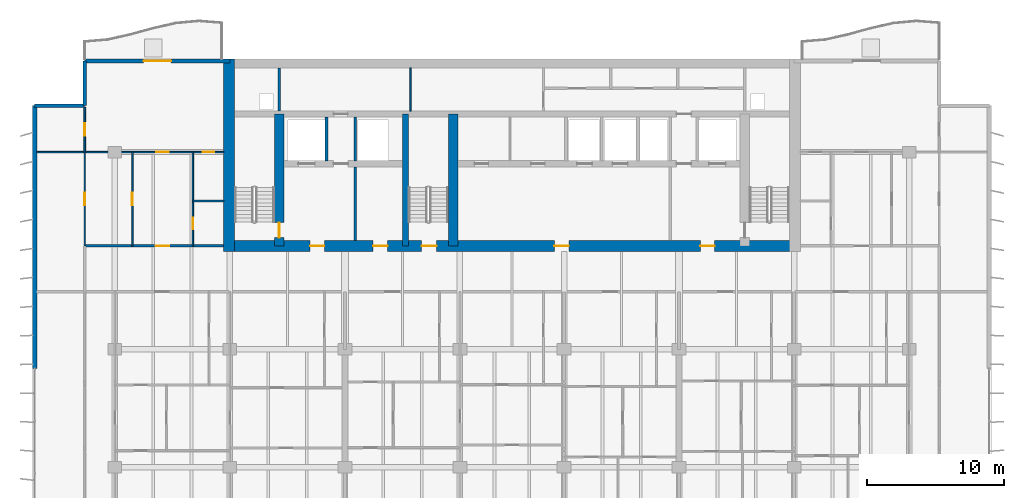
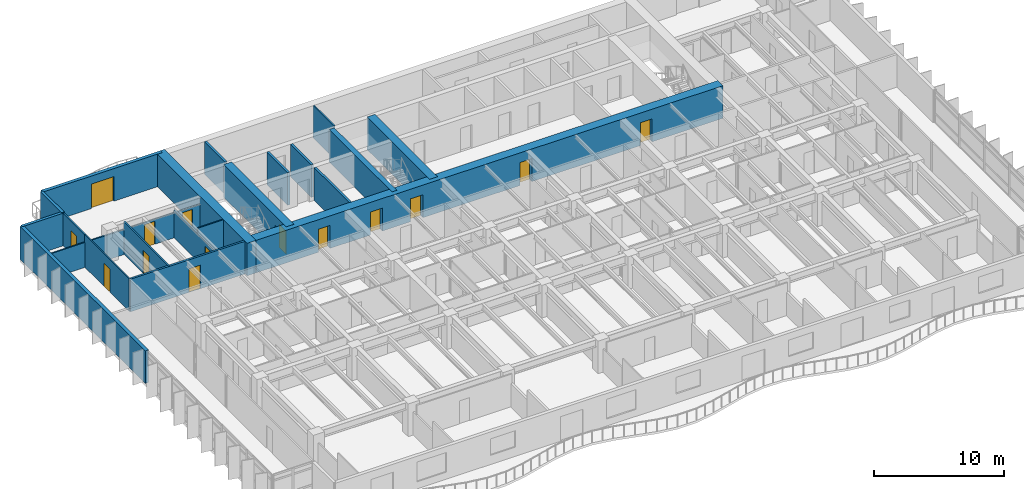
# One storey, part 12 of 20: 21 walls, 14 doors, 14 openings.
"""IFC4 building model written with IfcOpenShell, lengths in metres."""

import ifcopenshell
import ifcopenshell.guid

model = None  # the IFC model being written
_history = None  # IfcOwnerHistory: only IFC2X3 demands one
_inside = {}  # id of a spatial element -> (the spatial element, [elements in it])
_under = {}  # id of a project, library or spatial element -> (it, [spatial elements below it])
_declared = {}  # id of a project -> (the project, [libraries it declares])
_typed = {}  # id of a type object -> (the type object, [elements of that type])
_made_of = {}  # id of a material, layer set ... -> (it, [elements and type objects made of it])


def new_model(schema):
    """Start an empty IFC model of exactly this schema.

    Asked for "IFC4X3", IfcOpenShell would pick the latest addendum, in which some entities
    have other attributes; the version numbers below select the first issue.
    IFC2X3 requires an IfcOwnerHistory on every rooted entity: one is made here for all.
    """
    global model, _history
    if schema == "IFC4X3":
        model = ifcopenshell.file(schema_version=(4, 3, 0, 0))
    else:
        model = ifcopenshell.file(schema=schema)
    _inside.clear()
    _under.clear()
    _declared.clear()
    _typed.clear()
    _made_of.clear()
    _history = None
    if model.schema == "IFC2X3":
        org = make("IfcOrganization", Name="unknown")
        user = make(
            "IfcPersonAndOrganization",
            ThePerson=make("IfcPerson", FamilyName="unknown"),
            TheOrganization=org,
        )
        app = make(
            "IfcApplication",
            ApplicationDeveloper=org,
            Version="unknown",
            ApplicationFullName="unknown",
            ApplicationIdentifier="unknown",
        )
        _history = make(
            "IfcOwnerHistory",
            OwningUser=user,
            OwningApplication=app,
            ChangeAction="ADDED",
            CreationDate=0,
        )
    return model


def make(cls, **values):
    """One entity of the class cls with the attributes given. An attribute that is None is left unset."""
    return model.create_entity(
        cls, **{name: value for name, value in values.items() if value is not None}
    )


def rooted(cls, **values):
    """An entity with a GlobalId (a new one), such as an element, a storey or a relation."""
    return make(cls, GlobalId=ifcopenshell.guid.new(), OwnerHistory=_history, **values)


def si_unit(unit_type, name, prefix=None):
    """IfcSIUnit, for example si_unit("LENGTHUNIT", "METRE", prefix="MILLI")."""
    return make("IfcSIUnit", UnitType=unit_type, Prefix=prefix, Name=name)


def assignment(units):
    """IfcUnitAssignment: the units of a project."""
    return None if units is None else make("IfcUnitAssignment", Units=units)


def point(xyz):
    """IfcCartesianPoint."""
    return None if xyz is None else make("IfcCartesianPoint", Coordinates=xyz)


def direction(xyz):
    """IfcDirection."""
    return None if xyz is None else make("IfcDirection", DirectionRatios=xyz)


def frame(location, z_axis=None, x_axis=None):
    """IfcAxis2Placement3D, a coordinate frame: its origin and axes. An axis left out is left unset."""
    return make(
        "IfcAxis2Placement3D",
        Location=point(location),
        Axis=direction(z_axis),
        RefDirection=direction(x_axis),
    )


def frame_2d(location, x_axis=None):
    """IfcAxis2Placement2D, a coordinate frame in the plane: its origin and x axis."""
    return make(
        "IfcAxis2Placement2D", Location=point(location), RefDirection=direction(x_axis)
    )


def origin():
    """The frame at (0, 0, 0) with its axes left unset."""
    return frame((0.0, 0.0, 0.0))


def place(relative_to, where):
    """IfcLocalPlacement: puts the frame where relative to a parent placement (None: the world)."""
    return make(
        "IfcLocalPlacement", PlacementRelTo=relative_to, RelativePlacement=where
    )


def context(
    kind, dimensions, precision=None, world=None, true_north=None, identifier=None
):
    """IfcGeometricRepresentationContext, for example the 3D "Model" context."""
    return make(
        "IfcGeometricRepresentationContext",
        ContextIdentifier=identifier,
        ContextType=kind,
        CoordinateSpaceDimension=dimensions,
        Precision=precision,
        WorldCoordinateSystem=world,
        TrueNorth=true_north,
    )


def subcontext(parent, identifier, kind, view, scale=None):
    """IfcGeometricRepresentationSubContext, for example "Body" below "Model"."""
    return make(
        "IfcGeometricRepresentationSubContext",
        ContextIdentifier=identifier,
        ContextType=kind,
        ParentContext=parent,
        TargetScale=scale,
        TargetView=view,
    )


def project(units=None, contexts=None):
    """IfcProject with its units and contexts."""
    return rooted(
        "IfcProject",
        Name="project",
        RepresentationContexts=contexts,
        UnitsInContext=assignment(units),
    )


def spatial(cls, under=None, at=None, **own):
    """A site, building, storey or space (cls), placed at a placement, below another one or the project."""
    s = rooted(cls, ObjectPlacement=at, **own)
    if under is not None:
        _under.setdefault(under.id(), (under, []))[1].append(s)
    return s


def profile(cls, at=None, kind="AREA", **sizes):
    """A parametric profile (cls). Its sizes go by their IFC names, for example OverallWidth=200.0."""
    return make(cls, ProfileType=kind, Position=at, **sizes)


def rectangle(**sizes):
    """IfcRectangleProfileDef."""
    return profile("IfcRectangleProfileDef", **sizes)


def extrude(swept, where, along, depth):
    """IfcExtrudedAreaSolid: the profile swept, set in the frame where, extruded along a direction by depth."""
    return make(
        "IfcExtrudedAreaSolid",
        SweptArea=swept,
        Position=where,
        ExtrudedDirection=direction(along),
        Depth=depth,
    )


def shape(context_of_items, identifier, shape_type, items):
    """IfcShapeRepresentation: the items that make up one representation, for example the "Body"."""
    return make(
        "IfcShapeRepresentation",
        ContextOfItems=context_of_items,
        RepresentationIdentifier=identifier,
        RepresentationType=shape_type,
        Items=items,
    )


def material(Name=None, Category=None):
    """IfcMaterial."""
    return make("IfcMaterial", Name=Name, Category=Category)


def layer(
    of_material, thickness, ventilated=None, Name=None, Category=None, Priority=None
):
    """IfcMaterialLayer: one layer of a wall or slab, of a material (None: an air gap)."""
    return make(
        "IfcMaterialLayer",
        Material=of_material,
        LayerThickness=thickness,
        IsVentilated=ventilated,
        Name=Name,
        Category=Category,
        Priority=Priority,
    )


def layer_set(layers, Name=None):
    """IfcMaterialLayerSet."""
    return make("IfcMaterialLayerSet", MaterialLayers=layers, LayerSetName=Name)


def made_of(thing, what):
    """Note that an element or type object is made of a material, layer set ...; save() writes the relation."""
    if what is not None:
        _made_of.setdefault(what.id(), (what, []))[1].append(thing)
    return thing


def type_object(cls, material=None, **own):
    """A type object (cls), such as IfcWallType, which elements share."""
    return made_of(rooted(cls, **own), material)


def element(
    cls,
    number,
    at=None,
    inside=None,
    cuts=None,
    type_object=None,
    material=None,
    context=None,
    identifier="Body",
    shape_type=None,
    held_by="IfcProductDefinitionShape",
    body=None,
    shapes=None,
    **own,
):
    """One element of the class cls, such as IfcWall. Its Tag is "e" and its number.

    at: its placement. inside: the storey or other place that contains it. cuts: it is an
    opening in that element (IfcRelVoidsElement). A single representation is given by context,
    identifier, shape_type and body (its items); several are given by shapes. held_by: the class
    of the entity that holds the representations. save() writes the other relations.
    """
    e = rooted(cls, Tag="e%d" % number, ObjectPlacement=at, **own)
    if body is not None:
        shapes = [shape(context, identifier, shape_type, body)]
    if shapes is not None:
        e.Representation = make(held_by, Representations=shapes)
    if inside is not None:
        _inside.setdefault(inside.id(), (inside, []))[1].append(e)
    if cuts is not None:
        rooted(
            "IfcRelVoidsElement", RelatingBuildingElement=cuts, RelatedOpeningElement=e
        )
    if type_object is not None:
        _typed.setdefault(type_object.id(), (type_object, []))[1].append(e)
    return made_of(e, material)


def fill(opening, filler):
    """IfcRelFillsElement: the door or window that sits in an opening."""
    return rooted(
        "IfcRelFillsElement",
        RelatingOpeningElement=opening,
        RelatedBuildingElement=filler,
    )


def aggregate(whole, parts):
    """IfcRelAggregates: a whole, such as a stair, and the parts it consists of."""
    return rooted("IfcRelAggregates", RelatingObject=whole, RelatedObjects=parts)


def save(model, path):
    """Write the relations noted so far, then the file.

    IfcRelAggregates (storeys below a building ...), IfcRelContainedInSpatialStructure (elements
    in a storey), IfcRelDefinesByType, IfcRelAssociatesMaterial and IfcRelDeclares: one each for
    every whole, place, type object, material and project.
    """
    for whole, parts in _under.values():
        aggregate(whole, parts)
    for where, things in _inside.values():
        rooted(
            "IfcRelContainedInSpatialStructure",
            RelatedElements=things,
            RelatingStructure=where,
        )
    for kind, things in _typed.values():
        rooted("IfcRelDefinesByType", RelatedObjects=things, RelatingType=kind)
    for what, things in _made_of.values():
        rooted("IfcRelAssociatesMaterial", RelatedObjects=things, RelatingMaterial=what)
    for by, libraries in _declared.values():
        rooted("IfcRelDeclares", RelatingContext=by, RelatedDefinitions=libraries)
    model.write(path)


model = new_model("IFC4")

# Units and contexts
model_context = context("Model", 3, precision=1e-05, world=origin(), true_north=direction((0.0, 1.0)))
body_context = subcontext(model_context, "Body", "Model", "MODEL_VIEW")
ifc_project = project(units=[si_unit("LENGTHUNIT", "METRE"), si_unit("AREAUNIT", "SQUARE_METRE"), si_unit("VOLUMEUNIT", "CUBIC_METRE"), si_unit("PLANEANGLEUNIT", "RADIAN"), si_unit("MASSUNIT", "GRAM", prefix="KILO")], contexts=[model_context])

# Site, building, storey
site_placement = place(None, origin())
site = spatial("IfcSite", under=ifc_project, at=site_placement, CompositionType="ELEMENT")
building_placement = place(site_placement, origin())
building = spatial("IfcBuilding", under=site, at=building_placement, Name="Caelmar Bay Residences", CompositionType="ELEMENT")
storey_placement = place(building_placement, frame((0.0, 0.0, 119.10009765625)))
storey = spatial("IfcBuildingStorey", under=building, at=storey_placement, Name="L32", CompositionType="ELEMENT", Elevation=119.10009765625)

# Wall, opening, door
ifc_material_1 = material(Name="Concrete f'c 55 MPa (8,000 psi)", Category="concrete")
ifc_layer_1 = layer(ifc_material_1, 0.699951171875)
ifc_layer_set_1 = layer_set([ifc_layer_1], Name="Concrete f'c 55 MPa (8,000 psi)")
wall_type_1 = type_object("IfcWallType", Name="SW-COR-700", PredefinedType="SHEAR", material=ifc_layer_set_1)
wall_1_placement = place(storey_placement, frame((21.89990234375, 36.949951171875, 0.0), z_axis=(0.0, 0.0, 1.0), x_axis=(0.0, 1.0, 0.0)))
wall_1 = element("IfcWall", 1, at=wall_1_placement, inside=storey, type_object=wall_type_1, Name="L32 Core Structural Web Wall ST1E", PredefinedType="SHEAR", context=body_context, shape_type="SweptSolid", body=[
    extrude(rectangle(XDim=9.625, YDim=0.699951171875, at=frame_2d((4.8125, 0.0))), origin(), (0.0, 0.0, 1.0), 3.0498046875),
])
opening_1_placement = place(wall_1_placement, frame((0.60009765625, 0.0, 0.0)))
opening_1 = element("IfcOpeningElement", 2, at=opening_1_placement, cuts=wall_1, Name="Opening D-L32-107", PredefinedType="OPENING", context=body_context, shape_type="SweptSolid", body=[
    extrude(rectangle(XDim=1.10009765625, YDim=2.14990234375, at=frame_2d((0.550048828125, 1.074951171875))), frame((0.0, 0.35986328125, 0.0), z_axis=(0.0, -1.0, 0.0), x_axis=(1.0, 0.0, 0.0)), (0.0, 0.0, 1.0), 0.719970703125),
])
ifc_material_2 = material(Name="Fire-rated steel and walnut architectural door assembly", Category="steel")
ifc_layer_2 = layer(ifc_material_2, 0.050048828125)
ifc_layer_set_2 = layer_set([ifc_layer_2], Name="Fire-rated steel and walnut architectural door assembly")
door_type_1 = type_object("IfcDoorType", Name="D-STAIR-1100", OperationType="NOTDEFINED", PredefinedType="DOOR", material=ifc_layer_set_2)
door_1_placement = place(opening_1_placement, origin())
door_1 = element("IfcDoor", 3, at=door_1_placement, inside=storey, type_object=door_type_1, Name="L32 Firefighting Lobby West Door", OperationType="SINGLE_SWING_LEFT", OverallHeight=2.14990234375, OverallWidth=1.10009765625, PredefinedType="DOOR", context=body_context, shape_type="SweptSolid", body=[
    extrude(rectangle(XDim=1.10009765625, YDim=2.14990234375, at=frame_2d((0.550048828125, 1.074951171875))), frame((0.0, 0.02490234375, 0.0), z_axis=(0.0, -1.0, 0.0), x_axis=(1.0, 0.0, 0.0)), (0.0, 0.0, 1.0), 0.050048828125),
])
fill(opening_1, door_1)

# Wall
wall_2_placement = place(storey_placement, frame((34.60009765625, 36.949951171875, 0.0), z_axis=(0.0, 0.0, 1.0), x_axis=(0.0, 1.0, 0.0)))
element("IfcWall", 4, at=wall_2_placement, inside=storey, type_object=wall_type_1, Name="L32 Core Structural Web Wall ST3E", PredefinedType="SHEAR", context=body_context, shape_type="SweptSolid", body=[
    extrude(rectangle(XDim=9.625, YDim=0.699951171875, at=frame_2d((4.8125, 0.0))), origin(), (0.0, 0.0, 1.0), 3.0498046875),
])

# Wall, openings, doors
ifc_material_3 = material(Name="Concrete f'c 70 MPa (10,000 psi)", Category="concrete")
ifc_layer_3 = layer(ifc_material_3, 0.800048828125)
ifc_layer_set_3 = layer_set([ifc_layer_3], Name="Concrete f'c 70 MPa (10,000 psi)")
wall_type_2 = type_object("IfcWallType", Name="SW-COR-800", PredefinedType="SHEAR", material=ifc_layer_set_3)
wall_3_placement = place(storey_placement, frame((17.85009765625, 36.949951171875, 0.0), z_axis=(0.0, 0.0, 1.0), x_axis=(1.0, 0.0, 0.0)))
wall_3 = element("IfcWall", 5, at=wall_3_placement, inside=storey, type_object=wall_type_2, Name="L32 Rear Core South Shear Wall", PredefinedType="SHEAR", context=body_context, shape_type="SweptSolid", body=[
    extrude(rectangle(XDim=42.099853515625, YDim=0.800048828125, at=frame_2d((21.0498046875, 0.0))), origin(), (0.0, 0.0, 1.0), 3.0498046875),
])
opening_2_placement = place(wall_3_placement, frame((14.449951171875, 0.0, 0.0)))
opening_2 = element("IfcOpeningElement", 6, at=opening_2_placement, cuts=wall_3, Name="Opening D-L32-105", PredefinedType="OPENING", context=body_context, shape_type="SweptSolid", body=[
    extrude(rectangle(XDim=1.10009765625, YDim=2.14990234375, at=frame_2d((0.550048828125, 1.074951171875))), frame((0.0, 0.409912109375, 0.0), z_axis=(0.0, -1.0, 0.0), x_axis=(1.0, 0.0, 0.0)), (0.0, 0.0, 1.0), 0.820068359375),
])
opening_3_placement = place(wall_3_placement, frame((6.300048828125, 0.0, 0.0)))
opening_3 = element("IfcOpeningElement", 7, at=opening_3_placement, cuts=wall_3, Name="Opening D-L32-106", PredefinedType="OPENING", context=body_context, shape_type="SweptSolid", body=[
    extrude(rectangle(XDim=1.050048828125, YDim=2.14990234375, at=frame_2d((0.52490234375, 1.074951171875))), frame((0.0, 0.409912109375, 0.0), z_axis=(0.0, -1.0, 0.0), x_axis=(1.0, 0.0, 0.0)), (0.0, 0.0, 1.0), 0.820068359375),
])
opening_4_placement = place(wall_3_placement, frame((34.800048828125, 0.0, 0.0)))
opening_4 = element("IfcOpeningElement", 8, at=opening_4_placement, cuts=wall_3, Name="Opening D-L32-109", PredefinedType="OPENING", context=body_context, shape_type="SweptSolid", body=[
    extrude(rectangle(XDim=1.050048828125, YDim=2.14990234375, at=frame_2d((0.52490234375, 1.074951171875))), frame((0.0, 0.409912109375, 0.0), z_axis=(0.0, -1.0, 0.0), x_axis=(1.0, 0.0, 0.0)), (0.0, 0.0, 1.0), 0.820068359375),
])
opening_5_placement = place(wall_3_placement, frame((10.91259765625, 0.0, 0.0)))
opening_5 = element("IfcOpeningElement", 9, at=opening_5_placement, cuts=wall_3, Name="Opening D-L32-112", PredefinedType="OPENING", context=body_context, shape_type="SweptSolid", body=[
    extrude(rectangle(XDim=1.050048828125, YDim=2.14990234375, at=frame_2d((0.52490234375, 1.074951171875))), frame((0.0, 0.409912109375, 0.0), z_axis=(0.0, -1.0, 0.0), x_axis=(1.0, 0.0, 0.0)), (0.0, 0.0, 1.0), 0.820068359375),
])
opening_6_placement = place(wall_3_placement, frame((24.14990234375, 0.0, 0.0)))
opening_6 = element("IfcOpeningElement", 10, at=opening_6_placement, cuts=wall_3, Name="Opening D-L32-113", PredefinedType="OPENING", context=body_context, shape_type="SweptSolid", body=[
    extrude(rectangle(XDim=1.050048828125, YDim=2.14990234375, at=frame_2d((0.52490234375, 1.074951171875))), frame((0.0, 0.409912109375, 0.0), z_axis=(0.0, -1.0, 0.0), x_axis=(1.0, 0.0, 0.0)), (0.0, 0.0, 1.0), 0.820068359375),
])
ifc_layer_4 = layer(ifc_material_2, 0.050048828125)
ifc_layer_set_4 = layer_set([ifc_layer_4], Name="Fire-rated steel and walnut architectural door assembly")
door_type_2 = type_object("IfcDoorType", Name="D-FSAE-1050", OperationType="NOTDEFINED", PredefinedType="DOOR", material=ifc_layer_set_4)
door_2_placement = place(opening_3_placement, origin())
door_2 = element("IfcDoor", 11, at=door_2_placement, inside=storey, type_object=door_type_2, Name="L32 Firefighting Lobby West Door", OperationType="SINGLE_SWING_RIGHT", OverallHeight=2.14990234375, OverallWidth=1.050048828125, PredefinedType="DOOR", context=body_context, shape_type="SweptSolid", body=[
    extrude(rectangle(XDim=1.050048828125, YDim=2.14990234375, at=frame_2d((0.52490234375, 1.074951171875))), frame((0.0, 0.02490234375, 0.0), z_axis=(0.0, -1.0, 0.0), x_axis=(1.0, 0.0, 0.0)), (0.0, 0.0, 1.0), 0.050048828125),
])
fill(opening_3, door_2)
door_3_placement = place(opening_4_placement, origin())
door_3 = element("IfcDoor", 12, at=door_3_placement, inside=storey, type_object=door_type_2, Name="L32 Firefighting Lobby East Door", OperationType="SINGLE_SWING_LEFT", OverallHeight=2.14990234375, OverallWidth=1.050048828125, PredefinedType="DOOR", context=body_context, shape_type="SweptSolid", body=[
    extrude(rectangle(XDim=1.050048828125, YDim=2.14990234375, at=frame_2d((0.52490234375, 1.074951171875))), frame((0.0, 0.02490234375, 0.0), z_axis=(0.0, -1.0, 0.0), x_axis=(1.0, 0.0, 0.0)), (0.0, 0.0, 1.0), 0.050048828125),
])
fill(opening_4, door_3)
door_4_placement = place(opening_5_placement, origin())
door_4 = element("IfcDoor", 13, at=door_4_placement, inside=storey, type_object=door_type_2, Name="L32 West Lift Lobby Door", OperationType="SINGLE_SWING_RIGHT", OverallHeight=2.14990234375, OverallWidth=1.050048828125, PredefinedType="DOOR", context=body_context, shape_type="SweptSolid", body=[
    extrude(rectangle(XDim=1.050048828125, YDim=2.14990234375, at=frame_2d((0.52490234375, 1.074951171875))), frame((0.0, 0.02490234375, 0.0), z_axis=(0.0, -1.0, 0.0), x_axis=(1.0, 0.0, 0.0)), (0.0, 0.0, 1.0), 0.050048828125),
])
fill(opening_5, door_4)
door_5_placement = place(opening_6_placement, origin())
door_5 = element("IfcDoor", 14, at=door_5_placement, inside=storey, type_object=door_type_2, Name="L32 Passenger Lift Lobby Door", OperationType="SINGLE_SWING_LEFT", OverallHeight=2.14990234375, OverallWidth=1.050048828125, PredefinedType="DOOR", context=body_context, shape_type="SweptSolid", body=[
    extrude(rectangle(XDim=1.050048828125, YDim=2.14990234375, at=frame_2d((0.52490234375, 1.074951171875))), frame((0.0, 0.02490234375, 0.0), z_axis=(0.0, -1.0, 0.0), x_axis=(1.0, 0.0, 0.0)), (0.0, 0.0, 1.0), 0.050048828125),
])
fill(opening_6, door_5)
door_6_placement = place(opening_2_placement, origin())
door_6 = element("IfcDoor", 15, at=door_6_placement, inside=storey, type_object=door_type_1, Name="L32 Exit Stair ST3 Door", OperationType="SINGLE_SWING_LEFT", OverallHeight=2.14990234375, OverallWidth=1.10009765625, PredefinedType="DOOR", context=body_context, shape_type="SweptSolid", body=[
    extrude(rectangle(XDim=1.10009765625, YDim=2.14990234375, at=frame_2d((0.550048828125, 1.074951171875))), frame((0.0, 0.02490234375, 0.0), z_axis=(0.0, -1.0, 0.0), x_axis=(1.0, 0.0, 0.0)), (0.0, 0.0, 1.0), 0.050048828125),
])
fill(opening_2, door_6)

# Walls
wall_4_placement = place(storey_placement, frame((18.25, 36.550048828125, 0.0), z_axis=(0.0, 0.0, 1.0), x_axis=(0.0, 1.0, 0.0)))
element("IfcWall", 16, at=wall_4_placement, inside=storey, type_object=wall_type_2, Name="L32 Rear Core West Shear Wall", PredefinedType="SHEAR", context=body_context, shape_type="SweptSolid", body=[
    extrude(rectangle(XDim=14.050048828125, YDim=0.800048828125, at=frame_2d((7.02490234375, 0.0))), origin(), (0.0, 0.0, 1.0), 3.0498046875),
])
ifc_layer_5 = layer(ifc_material_3, 0.449951171875)
ifc_layer_set_5 = layer_set([ifc_layer_5], Name="Concrete f'c 70 MPa (10,000 psi)")
wall_type_3 = type_object("IfcWallType", Name="SW-WEB-450", PredefinedType="SHEAR", material=ifc_layer_set_5)
wall_5_placement = place(storey_placement, frame((31.125, 36.949951171875, 0.0), z_axis=(0.0, 0.0, 1.0), x_axis=(0.0, 1.0, 0.0)))
element("IfcWall", 17, at=wall_5_placement, inside=storey, type_object=wall_type_3, Name="L32 Core Structural Web Wall ST3W", PredefinedType="SHEAR", context=body_context, shape_type="SweptSolid", body=[
    extrude(rectangle(XDim=9.625, YDim=0.449951171875, at=frame_2d((4.8125, 0.0))), origin(), (0.0, 0.0, 1.0), 3.0498046875),
])

# Wall, opening, door
ifc_material_4 = material(Name="Double-stud acoustic fire-rated gypsum partition 180 mm")
ifc_layer_6 = layer(ifc_material_4, 0.179931640625)
ifc_layer_set_6 = layer_set([ifc_layer_6], Name="Double-stud acoustic fire-rated gypsum partition 180 mm")
wall_type_4 = type_object("IfcWallType", Name="W-COR-200", PredefinedType="PARTITIONING", material=ifc_layer_set_6)
wall_6_placement = place(storey_placement, frame((7.699951171875, 36.949951171875, 0.0), z_axis=(0.0, 0.0, 1.0), x_axis=(1.0, 0.0, 0.0)))
wall_6 = element("IfcWall", 18, at=wall_6_placement, inside=storey, type_object=wall_type_4, Name="L32 Partition Wall H148", PredefinedType="PARTITIONING", context=body_context, shape_type="SweptSolid", body=[
    extrude(rectangle(XDim=10.14501953125, YDim=0.179931640625, at=frame_2d((5.072509765625, 0.0))), origin(), (0.0, 0.0, 1.0), 3.0498046875),
])
opening_7_placement = place(wall_6_placement, frame((5.18798828125, 0.0, 0.0)))
opening_7 = element("IfcOpeningElement", 19, at=opening_7_placement, cuts=wall_6, Name="Opening D-L32-168", PredefinedType="OPENING", context=body_context, shape_type="SweptSolid", body=[
    extrude(rectangle(XDim=1.0, YDim=2.199951171875, at=frame_2d((0.5, 1.10009765625))), frame((0.0, 0.099853515625, 0.0), z_axis=(0.0, -1.0, 0.0), x_axis=(1.0, 0.0, 0.0)), (0.0, 0.0, 1.0), 0.199951171875),
])
ifc_layer_7 = layer(ifc_material_2, 0.050048828125)
ifc_layer_set_7 = layer_set([ifc_layer_7], Name="Fire-rated steel and walnut architectural door assembly")
door_type_3 = type_object("IfcDoorType", Name="D-UNIT-1000", OperationType="NOTDEFINED", PredefinedType="DOOR", material=ifc_layer_set_7)
door_7_placement = place(opening_7_placement, origin())
door_7 = element("IfcDoor", 20, at=door_7_placement, inside=storey, type_object=door_type_3, Name="L32 Residence WA Kitchen Door", OperationType="SINGLE_SWING_RIGHT", OverallHeight=2.199951171875, OverallWidth=1.0, PredefinedType="DOOR", context=body_context, shape_type="SweptSolid", body=[
    extrude(rectangle(XDim=1.0, YDim=2.199951171875, at=frame_2d((0.5, 1.10009765625))), frame((0.0, 0.02490234375, 0.0), z_axis=(0.0, -1.0, 0.0), x_axis=(1.0, 0.0, 0.0)), (0.0, 0.0, 1.0), 0.050048828125),
])
fill(opening_7, door_7)

# Walls
ifc_material_5 = material(Name="Precast concrete f'c 40 MPa (6,000 psi)", Category="concrete")
ifc_layer_8 = layer(ifc_material_5, 0.25)
ifc_layer_set_8 = layer_set([ifc_layer_8], Name="Precast concrete f'c 40 MPa (6,000 psi)")
wall_type_5 = type_object("IfcWallType", Name="W-EXT-250", PredefinedType="ELEMENTEDWALL", material=ifc_layer_set_8)
wall_7_placement = place(storey_placement, frame((4.050048828125, 47.199951171875, 0.0), z_axis=(0.0, 0.0, 1.0), x_axis=(1.0, 0.0, 0.0)))
element("IfcWall", 21, at=wall_7_placement, inside=storey, type_object=wall_type_5, Name="L32 NNW-H Notch Wall", PredefinedType="ELEMENTEDWALL", context=body_context, shape_type="SweptSolid", body=[
    extrude(rectangle(XDim=3.64990234375, YDim=0.25, at=frame_2d((1.824951171875, 0.0))), origin(), (0.0, 0.0, 1.0), 3.0498046875),
])
wall_8_placement = place(storey_placement, frame((7.699951171875, 47.199951171875, 0.0), z_axis=(0.0, 0.0, 1.0), x_axis=(0.0, 1.0, 0.0)))
element("IfcWall", 22, at=wall_8_placement, inside=storey, type_object=wall_type_5, Name="L32 NNW-V Notch Wall", PredefinedType="ELEMENTEDWALL", context=body_context, shape_type="SweptSolid", body=[
    extrude(rectangle(XDim=3.25, YDim=0.25, at=frame_2d((1.625, 0.0))), origin(), (0.0, 0.0, 1.0), 3.0498046875),
])
ifc_layer_9 = layer(ifc_material_5, 0.300048828125)
ifc_layer_set_9 = layer_set([ifc_layer_9], Name="Precast concrete f'c 40 MPa (6,000 psi)")
wall_type_6 = type_object("IfcWallType", Name="W-EXT-300", PredefinedType="STANDARD", material=ifc_layer_set_9)
wall_9_placement = place(storey_placement, frame((4.050048828125, 28.0, 0.0), z_axis=(0.0, 0.0, 1.0), x_axis=(0.0, 1.0, 0.0)))
element("IfcWall", 23, at=wall_9_placement, inside=storey, type_object=wall_type_6, Name="L32 West Rear Exterior Wall", PredefinedType="STANDARD", context=body_context, shape_type="SweptSolid", body=[
    extrude(rectangle(XDim=19.199951171875, YDim=0.300048828125, at=frame_2d((9.60009765625, 0.0))), origin(), (0.0, 0.0, 1.0), 3.0498046875),
])

# Wall, opening, door
wall_10_placement = place(storey_placement, frame((7.699951171875, 50.449951171875, 0.0), z_axis=(0.0, 0.0, 1.0), x_axis=(1.0, 0.0, 0.0)))
wall_10 = element("IfcWall", 24, at=wall_10_placement, inside=storey, type_object=wall_type_6, Name="L32 North-West Wing Exterior Wall", PredefinedType="STANDARD", context=body_context, shape_type="SweptSolid", body=[
    extrude(rectangle(XDim=10.60009765625, YDim=0.300048828125, at=frame_2d((5.300048828125, 0.0))), origin(), (0.0, 0.0, 1.0), 3.0498046875),
])
opening_8_placement = place(wall_10_placement, frame((4.300048828125, 0.0, 0.0)))
opening_8 = element("IfcOpeningElement", 25, at=opening_8_placement, cuts=wall_10, Name="Opening L32-BDNW", PredefinedType="OPENING", context=body_context, shape_type="SweptSolid", body=[
    extrude(rectangle(XDim=2.0, YDim=2.300048828125, at=frame_2d((1.0, 1.14990234375))), frame((0.0, 0.159912109375, 0.0), z_axis=(0.0, -1.0, 0.0), x_axis=(1.0, 0.0, 0.0)), (0.0, 0.0, 1.0), 0.320068359375),
])
ifc_material_6 = material(Name="Anodised bronze thermally broken sliding glass door", Category="glass")
ifc_layer_10 = layer(ifc_material_6, 0.050048828125)
ifc_layer_set_10 = layer_set([ifc_layer_10], Name="Anodised bronze thermally broken sliding glass door")
door_type_4 = type_object("IfcDoorType", Name="D-BAL-2000", OperationType="DOUBLE_DOOR_SLIDING", PredefinedType="DOOR", material=ifc_layer_set_10)
door_8_placement = place(opening_8_placement, origin())
door_8 = element("IfcDoor", 26, at=door_8_placement, inside=storey, type_object=door_type_4, Name="L32 North-West Balcony Door", OperationType="DOUBLE_DOOR_SLIDING", OverallHeight=2.300048828125, OverallWidth=2.0, PredefinedType="DOOR", context=body_context, shape_type="SweptSolid", body=[
    extrude(rectangle(XDim=2.0, YDim=2.300048828125, at=frame_2d((1.0, 1.14990234375))), frame((0.0, 0.02490234375, 0.0), z_axis=(0.0, -1.0, 0.0), x_axis=(1.0, 0.0, 0.0)), (0.0, 0.0, 1.0), 0.050048828125),
])
fill(opening_8, door_8)

# Walls
ifc_material_7 = material(Name="Fire-rated masonry and gypsum shaftliner assembly 200 mm", Category="masonry")
ifc_layer_11 = layer(ifc_material_7, 0.199951171875)
ifc_layer_set_11 = layer_set([ifc_layer_11], Name="Fire-rated masonry and gypsum shaftliner assembly 200 mm")
wall_type_7 = type_object("IfcWallType", Name="W-FSAE-200", PredefinedType="PARTITIONING", material=ifc_layer_set_11)
wall_11_placement = place(storey_placement, frame((21.89990234375, 46.794921875, 0.0), z_axis=(0.0, 0.0, 1.0), x_axis=(0.0, 1.0, 0.0)))
element("IfcWall", 27, at=wall_11_placement, inside=storey, type_object=wall_type_7, Name="L32 Partition Wall V031", PredefinedType="PARTITIONING", context=body_context, shape_type="SweptSolid", body=[
    extrude(rectangle(XDim=3.16015625, YDim=0.199951171875, at=frame_2d((1.580078125, 0.0))), origin(), (0.0, 0.0, 1.0), 3.0498046875),
])
wall_12_placement = place(storey_placement, frame((25.35009765625, 43.169921875, 0.0), z_axis=(0.0, 0.0, 1.0), x_axis=(0.0, 1.0, 0.0)))
element("IfcWall", 28, at=wall_12_placement, inside=storey, type_object=wall_type_7, Name="L32 Partition Wall V035", PredefinedType="PARTITIONING", context=body_context, shape_type="SweptSolid", body=[
    extrude(rectangle(XDim=3.18505859375, YDim=0.199951171875, at=frame_2d((1.592529296875, 0.0))), origin(), (0.0, 0.0, 1.0), 3.0498046875),
])
wall_13_placement = place(storey_placement, frame((27.449951171875, 37.344970703125, 0.0), z_axis=(0.0, 0.0, 1.0), x_axis=(0.0, 1.0, 0.0)))
element("IfcWall", 29, at=wall_13_placement, inside=storey, type_object=wall_type_7, Name="L32 Partition Wall V039", PredefinedType="PARTITIONING", context=body_context, shape_type="SweptSolid", body=[
    extrude(rectangle(XDim=5.385009765625, YDim=0.199951171875, at=frame_2d((2.6923828125, 0.0))), origin(), (0.0, 0.0, 1.0), 3.0498046875),
])
wall_14_placement = place(storey_placement, frame((27.449951171875, 43.169921875, 0.0), z_axis=(0.0, 0.0, 1.0), x_axis=(0.0, 1.0, 0.0)))
element("IfcWall", 30, at=wall_14_placement, inside=storey, type_object=wall_type_7, Name="L32 Partition Wall V040", PredefinedType="PARTITIONING", context=body_context, shape_type="SweptSolid", body=[
    extrude(rectangle(XDim=3.18505859375, YDim=0.199951171875, at=frame_2d((1.592529296875, 0.0))), origin(), (0.0, 0.0, 1.0), 3.0498046875),
])

# Wall, opening, door
ifc_material_8 = material(Name="Anodised bronze framed acoustic sliding study partition 100 mm")
ifc_layer_12 = layer(ifc_material_8, 0.10009765625)
ifc_layer_set_12 = layer_set([ifc_layer_12], Name="Anodised bronze framed acoustic sliding study partition 100 mm")
wall_type_8 = type_object("IfcWallType", Name="W-MOV-100", PredefinedType="MOVABLE", material=ifc_layer_set_12)
wall_15_placement = place(storey_placement, frame((7.699951171875, 36.955078125, 0.0), z_axis=(0.0, 0.0, 1.0), x_axis=(0.0, 1.0, 0.0)))
wall_15 = element("IfcWall", 31, at=wall_15_placement, inside=storey, type_object=wall_type_8, Name="L32 Partition Wall V008", PredefinedType="MOVABLE", context=body_context, shape_type="SweptSolid", body=[
    extrude(rectangle(XDim=6.844970703125, YDim=0.10009765625, at=frame_2d((3.42236328125, 0.0))), origin(), (0.0, 0.0, 1.0), 3.0498046875),
])
opening_9_placement = place(wall_15_placement, frame((2.972412109375, 0.0, 0.0)))
opening_9 = element("IfcOpeningElement", 32, at=opening_9_placement, cuts=wall_15, Name="Opening D-L32-172", PredefinedType="OPENING", context=body_context, shape_type="SweptSolid", body=[
    extrude(rectangle(XDim=0.89990234375, YDim=2.14990234375, at=frame_2d((0.449951171875, 1.074951171875))), frame((0.0, 0.06005859375, 0.0), z_axis=(0.0, -1.0, 0.0), x_axis=(1.0, 0.0, 0.0)), (0.0, 0.0, 1.0), 0.1201171875),
])
ifc_material_9 = material(Name="Solid walnut timber interior door leaf and frame", Category="wood")
ifc_layer_13 = layer(ifc_material_9, 0.050048828125)
ifc_layer_set_13 = layer_set([ifc_layer_13], Name="Solid walnut timber interior door leaf and frame")
door_type_5 = type_object("IfcDoorType", Name="D-ROOM-900", OperationType="NOTDEFINED", PredefinedType="DOOR", material=ifc_layer_set_13)
door_9_placement = place(opening_9_placement, origin())
door_9 = element("IfcDoor", 33, at=door_9_placement, inside=storey, type_object=door_type_5, Name="L32 Residence WA Sun Study Door", OperationType="SINGLE_SWING_RIGHT", OverallHeight=2.14990234375, OverallWidth=0.89990234375, PredefinedType="DOOR", context=body_context, shape_type="SweptSolid", body=[
    extrude(rectangle(XDim=0.89990234375, YDim=2.14990234375, at=frame_2d((0.449951171875, 1.074951171875))), frame((0.0, 0.02490234375, 0.0), z_axis=(0.0, -1.0, 0.0), x_axis=(1.0, 0.0, 0.0)), (0.0, 0.0, 1.0), 0.050048828125),
])
fill(opening_9, door_9)

ifc_material_10 = material(Name="Acoustic metal-stud gypsum partition 120 mm")
ifc_layer_14 = layer(ifc_material_10, 0.1201171875)
ifc_layer_set_14 = layer_set([ifc_layer_14], Name="Acoustic metal-stud gypsum partition 120 mm")
wall_type_9 = type_object("IfcWallType", Name="W-PRT-120", PredefinedType="PARTITIONING", material=ifc_layer_set_14)
wall_16_placement = place(storey_placement, frame((7.699951171875, 43.804931640625, 0.0), z_axis=(0.0, 0.0, 1.0), x_axis=(0.0, 1.0, 0.0)))
wall_16 = element("IfcWall", 34, at=wall_16_placement, inside=storey, type_object=wall_type_9, Name="L32 Partition Wall V009", PredefinedType="PARTITIONING", context=body_context, shape_type="SweptSolid", body=[
    extrude(rectangle(XDim=3.275146484375, YDim=0.1201171875, at=frame_2d((1.6376953125, 0.0))), origin(), (0.0, 0.0, 1.0), 3.0498046875),
])
opening_10_placement = place(wall_16_placement, frame((1.1875, 0.0, 0.0)))
opening_10 = element("IfcOpeningElement", 35, at=opening_10_placement, cuts=wall_16, Name="Opening D-L32-173", PredefinedType="OPENING", context=body_context, shape_type="SweptSolid", body=[
    extrude(rectangle(XDim=0.89990234375, YDim=2.14990234375, at=frame_2d((0.449951171875, 1.074951171875))), frame((0.0, 0.070068359375, 0.0), z_axis=(0.0, -1.0, 0.0), x_axis=(1.0, 0.0, 0.0)), (0.0, 0.0, 1.0), 0.14013671875),
])
door_10_placement = place(opening_10_placement, origin())
door_10 = element("IfcDoor", 36, at=door_10_placement, inside=storey, type_object=door_type_5, Name="L32 Residence WA North Sitting Alcove Door", OperationType="SINGLE_SWING_LEFT", OverallHeight=2.14990234375, OverallWidth=0.89990234375, PredefinedType="DOOR", context=body_context, shape_type="SweptSolid", body=[
    extrude(rectangle(XDim=0.89990234375, YDim=2.14990234375, at=frame_2d((0.449951171875, 1.074951171875))), frame((0.0, 0.02490234375, 0.0), z_axis=(0.0, -1.0, 0.0), x_axis=(1.0, 0.0, 0.0)), (0.0, 0.0, 1.0), 0.050048828125),
])
fill(opening_10, door_10)

wall_17_placement = place(storey_placement, frame((11.176025390625, 36.949951171875, 0.0), z_axis=(0.0, 0.0, 1.0), x_axis=(0.0, 1.0, 0.0)))
wall_17 = element("IfcWall", 37, at=wall_17_placement, inside=storey, type_object=wall_type_9, Name="L32 Partition Wall V017", PredefinedType="PARTITIONING", context=body_context, shape_type="SweptSolid", body=[
    extrude(rectangle(XDim=6.85009765625, YDim=0.1201171875, at=frame_2d((3.425048828125, 0.0))), origin(), (0.0, 0.0, 1.0), 3.0498046875),
])
opening_11_placement = place(wall_17_placement, frame((2.97509765625, 0.0, 0.0)))
opening_11 = element("IfcOpeningElement", 38, at=opening_11_placement, cuts=wall_17, Name="Opening D-L32-167", PredefinedType="OPENING", context=body_context, shape_type="SweptSolid", body=[
    extrude(rectangle(XDim=0.89990234375, YDim=2.14990234375, at=frame_2d((0.449951171875, 1.074951171875))), frame((0.0, 0.070068359375, 0.0), z_axis=(0.0, -1.0, 0.0), x_axis=(1.0, 0.0, 0.0)), (0.0, 0.0, 1.0), 0.14013671875),
])
door_11_placement = place(opening_11_placement, origin())
door_11 = element("IfcDoor", 39, at=door_11_placement, inside=storey, type_object=door_type_5, Name="L32 Residence WA Dining Room Door", OperationType="SINGLE_SWING_LEFT", OverallHeight=2.14990234375, OverallWidth=0.89990234375, PredefinedType="DOOR", context=body_context, shape_type="SweptSolid", body=[
    extrude(rectangle(XDim=0.89990234375, YDim=2.14990234375, at=frame_2d((0.449951171875, 1.074951171875))), frame((0.0, 0.02490234375, 0.0), z_axis=(0.0, -1.0, 0.0), x_axis=(1.0, 0.0, 0.0)), (0.0, 0.0, 1.0), 0.050048828125),
])
fill(opening_11, door_11)

wall_18_placement = place(storey_placement, frame((15.60009765625, 36.949951171875, 0.0), z_axis=(0.0, 0.0, 1.0), x_axis=(0.0, 1.0, 0.0)))
wall_18 = element("IfcWall", 40, at=wall_18_placement, inside=storey, type_object=wall_type_9, Name="L32 Partition Wall V021", PredefinedType="PARTITIONING", context=body_context, shape_type="SweptSolid", body=[
    extrude(rectangle(XDim=6.85009765625, YDim=0.1201171875, at=frame_2d((3.425048828125, 0.0))), origin(), (0.0, 0.0, 1.0), 2.577880859375),
])
opening_12_placement = place(wall_18_placement, frame((1.218994140625, 0.0, 0.0)))
opening_12 = element("IfcOpeningElement", 41, at=opening_12_placement, cuts=wall_18, Name="Opening D-L32-170", PredefinedType="OPENING", context=body_context, shape_type="SweptSolid", body=[
    extrude(rectangle(XDim=0.85009765625, YDim=2.10009765625, at=frame_2d((0.425048828125, 1.050048828125))), frame((0.0, 0.070068359375, 0.0), z_axis=(0.0, -1.0, 0.0), x_axis=(1.0, 0.0, 0.0)), (0.0, 0.0, 1.0), 0.14013671875),
])
ifc_layer_15 = layer(ifc_material_9, 0.050048828125)
ifc_layer_set_15 = layer_set([ifc_layer_15], Name="Solid walnut timber interior door leaf and frame")
door_type_6 = type_object("IfcDoorType", Name="D-BATH-850", OperationType="NOTDEFINED", PredefinedType="DOOR", material=ifc_layer_set_15)
door_12_placement = place(opening_12_placement, origin())
door_12 = element("IfcDoor", 42, at=door_12_placement, inside=storey, type_object=door_type_6, Name="L32 Residence WA Walk-In Closet Door", OperationType="SINGLE_SWING_RIGHT", OverallHeight=2.10009765625, OverallWidth=0.85009765625, PredefinedType="DOOR", context=body_context, shape_type="SweptSolid", body=[
    extrude(rectangle(XDim=0.85009765625, YDim=2.10009765625, at=frame_2d((0.425048828125, 1.050048828125))), frame((0.0, 0.02490234375, 0.0), z_axis=(0.0, -1.0, 0.0), x_axis=(1.0, 0.0, 0.0)), (0.0, 0.0, 1.0), 0.050048828125),
])
fill(opening_12, door_12)

# Walls
wall_19_placement = place(storey_placement, frame((31.5, 46.794921875, 0.0), z_axis=(0.0, 0.0, 1.0), x_axis=(0.0, 1.0, 0.0)))
element("IfcWall", 43, at=wall_19_placement, inside=storey, type_object=wall_type_9, Name="L32 Partition Wall V044", PredefinedType="PARTITIONING", context=body_context, shape_type="SweptSolid", body=[
    extrude(rectangle(XDim=3.16015625, YDim=0.1201171875, at=frame_2d((1.580078125, 0.0))), origin(), (0.0, 0.0, 1.0), 3.0498046875),
])
wall_20_placement = place(storey_placement, frame((15.60009765625, 40.238037109375, 0.0), z_axis=(0.0, 0.0, 1.0), x_axis=(1.0, 0.0, 0.0)))
element("IfcWall", 44, at=wall_20_placement, inside=storey, type_object=wall_type_9, Name="L32 Partition Wall H150", PredefinedType="PARTITIONING", context=body_context, shape_type="SweptSolid", body=[
    extrude(rectangle(XDim=2.2548828125, YDim=0.1201171875, at=frame_2d((1.12744140625, 0.0))), origin(), (0.0, 0.0, 1.0), 3.0498046875),
])

# Wall, openings, doors
wall_21_placement = place(storey_placement, frame((4.195068359375, 43.800048828125, 0.0), z_axis=(0.0, 0.0, 1.0), x_axis=(1.0, 0.0, 0.0)))
wall_21 = element("IfcWall", 45, at=wall_21_placement, inside=storey, type_object=wall_type_9, Name="L32 Partition Wall H152", PredefinedType="PARTITIONING", context=body_context, shape_type="SweptSolid", body=[
    extrude(rectangle(XDim=13.659912109375, YDim=0.1201171875, at=frame_2d((6.830078125, 0.0))), origin(), (0.0, 0.0, 1.0), 2.3388671875),
])
opening_13_placement = place(wall_21_placement, frame((8.742919921875, 0.0, 0.0)))
opening_13 = element("IfcOpeningElement", 46, at=opening_13_placement, cuts=wall_21, Name="Opening D-L32-169", PredefinedType="OPENING", context=body_context, shape_type="SweptSolid", body=[
    extrude(rectangle(XDim=0.89990234375, YDim=2.14990234375, at=frame_2d((0.449951171875, 1.074951171875))), frame((0.0, 0.070068359375, 0.0), z_axis=(0.0, -1.0, 0.0), x_axis=(1.0, 0.0, 0.0)), (0.0, 0.0, 1.0), 0.14013671875),
])
opening_14_placement = place(wall_21_placement, frame((12.107421875, 0.0, 0.0)))
opening_14 = element("IfcOpeningElement", 47, at=opening_14_placement, cuts=wall_21, Name="Opening D-L32-171", PredefinedType="OPENING", context=body_context, shape_type="SweptSolid", body=[
    extrude(rectangle(XDim=0.85009765625, YDim=2.10009765625, at=frame_2d((0.425048828125, 1.050048828125))), frame((0.0, 0.070068359375, 0.0), z_axis=(0.0, -1.0, 0.0), x_axis=(1.0, 0.0, 0.0)), (0.0, 0.0, 1.0), 0.14013671875),
])
door_13_placement = place(opening_14_placement, origin())
door_13 = element("IfcDoor", 48, at=door_13_placement, inside=storey, type_object=door_type_6, Name="L32 Residence WA Bathroom Door", OperationType="SINGLE_SWING_LEFT", OverallHeight=2.10009765625, OverallWidth=0.85009765625, PredefinedType="DOOR", context=body_context, shape_type="SweptSolid", body=[
    extrude(rectangle(XDim=0.85009765625, YDim=2.10009765625, at=frame_2d((0.425048828125, 1.050048828125))), frame((0.0, 0.02490234375, 0.0), z_axis=(0.0, -1.0, 0.0), x_axis=(1.0, 0.0, 0.0)), (0.0, 0.0, 1.0), 0.050048828125),
])
fill(opening_14, door_13)
door_14_placement = place(opening_13_placement, origin())
door_14 = element("IfcDoor", 49, at=door_14_placement, inside=storey, type_object=door_type_5, Name="L32 Residence WA Studio Living and Sleeping Room Door", OperationType="SINGLE_SWING_LEFT", OverallHeight=2.14990234375, OverallWidth=0.89990234375, PredefinedType="DOOR", context=body_context, shape_type="SweptSolid", body=[
    extrude(rectangle(XDim=0.89990234375, YDim=2.14990234375, at=frame_2d((0.449951171875, 1.074951171875))), frame((0.0, 0.02490234375, 0.0), z_axis=(0.0, -1.0, 0.0), x_axis=(1.0, 0.0, 0.0)), (0.0, 0.0, 1.0), 0.050048828125),
])
fill(opening_13, door_14)

save(model, "model.ifc")
